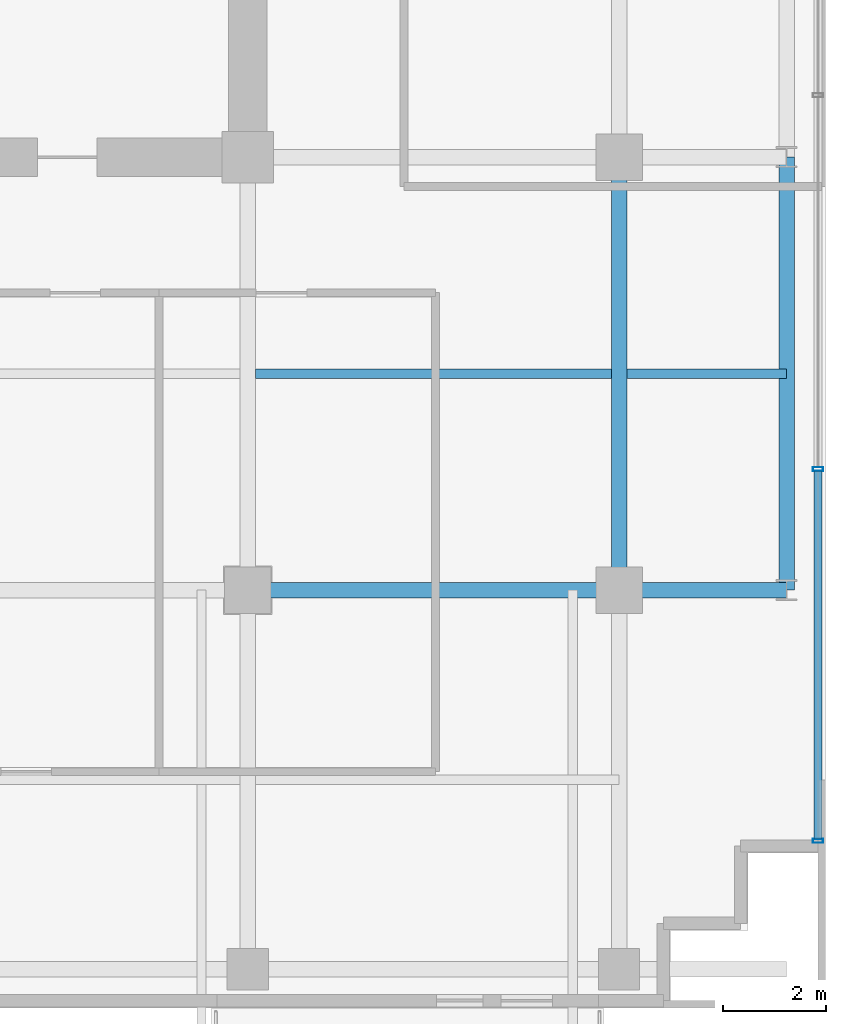
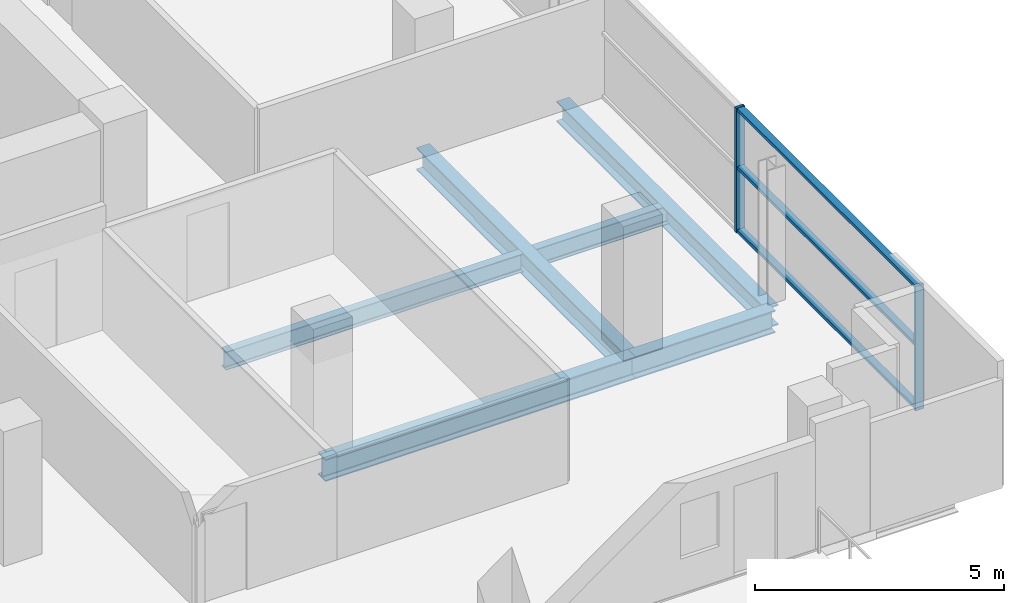
# One storey, part 12 of 28: 6 beams, 5 members, 1 element without a shape of its own.
"""IFC4 building model written with IfcOpenShell, lengths in metres."""

import ifcopenshell
import ifcopenshell.guid

model = None  # the IFC model being written
_history = None  # IfcOwnerHistory: only IFC2X3 demands one
_inside = {}  # id of a spatial element -> (the spatial element, [elements in it])
_under = {}  # id of a project, library or spatial element -> (it, [spatial elements below it])
_declared = {}  # id of a project -> (the project, [libraries it declares])
_typed = {}  # id of a type object -> (the type object, [elements of that type])
_made_of = {}  # id of a material, layer set ... -> (it, [elements and type objects made of it])


def new_model(schema):
    """Start an empty IFC model of exactly this schema.

    Asked for "IFC4X3", IfcOpenShell would pick the latest addendum, in which some entities
    have other attributes; the version numbers below select the first issue.
    IFC2X3 requires an IfcOwnerHistory on every rooted entity: one is made here for all.
    """
    global model, _history
    if schema == "IFC4X3":
        model = ifcopenshell.file(schema_version=(4, 3, 0, 0))
    else:
        model = ifcopenshell.file(schema=schema)
    _inside.clear()
    _under.clear()
    _declared.clear()
    _typed.clear()
    _made_of.clear()
    _history = None
    if model.schema == "IFC2X3":
        org = make("IfcOrganization", Name="unknown")
        user = make(
            "IfcPersonAndOrganization",
            ThePerson=make("IfcPerson", FamilyName="unknown"),
            TheOrganization=org,
        )
        app = make(
            "IfcApplication",
            ApplicationDeveloper=org,
            Version="unknown",
            ApplicationFullName="unknown",
            ApplicationIdentifier="unknown",
        )
        _history = make(
            "IfcOwnerHistory",
            OwningUser=user,
            OwningApplication=app,
            ChangeAction="ADDED",
            CreationDate=0,
        )
    return model


def make(cls, **values):
    """One entity of the class cls with the attributes given. An attribute that is None is left unset."""
    return model.create_entity(
        cls, **{name: value for name, value in values.items() if value is not None}
    )


def rooted(cls, **values):
    """An entity with a GlobalId (a new one), such as an element, a storey or a relation."""
    return make(cls, GlobalId=ifcopenshell.guid.new(), OwnerHistory=_history, **values)


def si_unit(unit_type, name, prefix=None):
    """IfcSIUnit, for example si_unit("LENGTHUNIT", "METRE", prefix="MILLI")."""
    return make("IfcSIUnit", UnitType=unit_type, Prefix=prefix, Name=name)


def assignment(units):
    """IfcUnitAssignment: the units of a project."""
    return None if units is None else make("IfcUnitAssignment", Units=units)


def point(xyz):
    """IfcCartesianPoint."""
    return None if xyz is None else make("IfcCartesianPoint", Coordinates=xyz)


def direction(xyz):
    """IfcDirection."""
    return None if xyz is None else make("IfcDirection", DirectionRatios=xyz)


def frame(location, z_axis=None, x_axis=None):
    """IfcAxis2Placement3D, a coordinate frame: its origin and axes. An axis left out is left unset."""
    return make(
        "IfcAxis2Placement3D",
        Location=point(location),
        Axis=direction(z_axis),
        RefDirection=direction(x_axis),
    )


def frame_2d(location, x_axis=None):
    """IfcAxis2Placement2D, a coordinate frame in the plane: its origin and x axis."""
    return make(
        "IfcAxis2Placement2D", Location=point(location), RefDirection=direction(x_axis)
    )


def origin():
    """The frame at (0, 0, 0) with its axes left unset."""
    return frame((0.0, 0.0, 0.0))


def origin_2d():
    """The frame at (0, 0) in the plane with its x axis left unset."""
    return frame_2d((0.0, 0.0))


def place(relative_to, where):
    """IfcLocalPlacement: puts the frame where relative to a parent placement (None: the world)."""
    return make(
        "IfcLocalPlacement", PlacementRelTo=relative_to, RelativePlacement=where
    )


def context(
    kind, dimensions, precision=None, world=None, true_north=None, identifier=None
):
    """IfcGeometricRepresentationContext, for example the 3D "Model" context."""
    return make(
        "IfcGeometricRepresentationContext",
        ContextIdentifier=identifier,
        ContextType=kind,
        CoordinateSpaceDimension=dimensions,
        Precision=precision,
        WorldCoordinateSystem=world,
        TrueNorth=true_north,
    )


def subcontext(parent, identifier, kind, view, scale=None):
    """IfcGeometricRepresentationSubContext, for example "Body" below "Model"."""
    return make(
        "IfcGeometricRepresentationSubContext",
        ContextIdentifier=identifier,
        ContextType=kind,
        ParentContext=parent,
        TargetScale=scale,
        TargetView=view,
    )


def project(units=None, contexts=None):
    """IfcProject with its units and contexts."""
    return rooted(
        "IfcProject",
        Name="project",
        RepresentationContexts=contexts,
        UnitsInContext=assignment(units),
    )


def spatial(cls, under=None, at=None, **own):
    """A site, building, storey or space (cls), placed at a placement, below another one or the project."""
    s = rooted(cls, ObjectPlacement=at, **own)
    if under is not None:
        _under.setdefault(under.id(), (under, []))[1].append(s)
    return s


def profile(cls, at=None, kind="AREA", **sizes):
    """A parametric profile (cls). Its sizes go by their IFC names, for example OverallWidth=200.0."""
    return make(cls, ProfileType=kind, Position=at, **sizes)


def hollow_rectangle(**sizes):
    """IfcRectangleHollowProfileDef."""
    return profile("IfcRectangleHollowProfileDef", **sizes)


def i_section(**sizes):
    """IfcIShapeProfileDef."""
    return profile("IfcIShapeProfileDef", **sizes)


def extrude(swept, where, along, depth):
    """IfcExtrudedAreaSolid: the profile swept, set in the frame where, extruded along a direction by depth."""
    return make(
        "IfcExtrudedAreaSolid",
        SweptArea=swept,
        Position=where,
        ExtrudedDirection=direction(along),
        Depth=depth,
    )


def shape(context_of_items, identifier, shape_type, items):
    """IfcShapeRepresentation: the items that make up one representation, for example the "Body"."""
    return make(
        "IfcShapeRepresentation",
        ContextOfItems=context_of_items,
        RepresentationIdentifier=identifier,
        RepresentationType=shape_type,
        Items=items,
    )


def source(mapping_origin, context_of_items, identifier, shape_type, items):
    """IfcRepresentationMap: a shape defined once, which mapped items show again and again."""
    return make(
        "IfcRepresentationMap",
        MappingOrigin=mapping_origin,
        MappedRepresentation=shape(context_of_items, identifier, shape_type, items),
    )


def transform(
    local_origin,
    x_axis=None,
    y_axis=None,
    z_axis=None,
    scale=None,
    scale2=None,
    scale3=None,
    uniform=True,
):
    """IfcCartesianTransformationOperator3D, or its non-uniform kind. x_axis, y_axis, z_axis: its Axis1, 2, 3."""
    if uniform:
        return make(
            "IfcCartesianTransformationOperator3D",
            Axis1=direction(x_axis),
            Axis2=direction(y_axis),
            LocalOrigin=point(local_origin),
            Scale=scale,
            Axis3=direction(z_axis),
        )
    return make(
        "IfcCartesianTransformationOperator3DnonUniform",
        Axis1=direction(x_axis),
        Axis2=direction(y_axis),
        LocalOrigin=point(local_origin),
        Scale=scale,
        Axis3=direction(z_axis),
        Scale2=scale2,
        Scale3=scale3,
    )


def mapped(mapping_source, mapping_target):
    """IfcMappedItem: shows the shape of a source again, moved by a transform."""
    return make(
        "IfcMappedItem", MappingSource=mapping_source, MappingTarget=mapping_target
    )


def material(Name=None, Category=None):
    """IfcMaterial."""
    return make("IfcMaterial", Name=Name, Category=Category)


def layer(
    of_material, thickness, ventilated=None, Name=None, Category=None, Priority=None
):
    """IfcMaterialLayer: one layer of a wall or slab, of a material (None: an air gap)."""
    return make(
        "IfcMaterialLayer",
        Material=of_material,
        LayerThickness=thickness,
        IsVentilated=ventilated,
        Name=Name,
        Category=Category,
        Priority=Priority,
    )


def layer_set(layers, Name=None):
    """IfcMaterialLayerSet."""
    return make("IfcMaterialLayerSet", MaterialLayers=layers, LayerSetName=Name)


def material_profile(
    of_material, cross_section, Name=None, Category=None, Priority=None
):
    """IfcMaterialProfile: a cross section and its material."""
    return make(
        "IfcMaterialProfile",
        Name=Name,
        Material=of_material,
        Profile=cross_section,
        Priority=Priority,
        Category=Category,
    )


def profile_set(profiles, Name=None, composite=None):
    """IfcMaterialProfileSet."""
    return make(
        "IfcMaterialProfileSet",
        Name=Name,
        MaterialProfiles=profiles,
        CompositeProfile=composite,
    )


def made_of(thing, what):
    """Note that an element or type object is made of a material, layer set ...; save() writes the relation."""
    if what is not None:
        _made_of.setdefault(what.id(), (what, []))[1].append(thing)
    return thing


def type_object(cls, material=None, **own):
    """A type object (cls), such as IfcWallType, which elements share."""
    return made_of(rooted(cls, **own), material)


def element(
    cls,
    number,
    at=None,
    inside=None,
    cuts=None,
    type_object=None,
    material=None,
    context=None,
    identifier="Body",
    shape_type=None,
    held_by="IfcProductDefinitionShape",
    body=None,
    shapes=None,
    **own,
):
    """One element of the class cls, such as IfcWall. Its Tag is "e" and its number.

    at: its placement. inside: the storey or other place that contains it. cuts: it is an
    opening in that element (IfcRelVoidsElement). A single representation is given by context,
    identifier, shape_type and body (its items); several are given by shapes. held_by: the class
    of the entity that holds the representations. save() writes the other relations.
    """
    e = rooted(cls, Tag="e%d" % number, ObjectPlacement=at, **own)
    if body is not None:
        shapes = [shape(context, identifier, shape_type, body)]
    if shapes is not None:
        e.Representation = make(held_by, Representations=shapes)
    if inside is not None:
        _inside.setdefault(inside.id(), (inside, []))[1].append(e)
    if cuts is not None:
        rooted(
            "IfcRelVoidsElement", RelatingBuildingElement=cuts, RelatedOpeningElement=e
        )
    if type_object is not None:
        _typed.setdefault(type_object.id(), (type_object, []))[1].append(e)
    return made_of(e, material)


def aggregate(whole, parts):
    """IfcRelAggregates: a whole, such as a stair, and the parts it consists of."""
    return rooted("IfcRelAggregates", RelatingObject=whole, RelatedObjects=parts)


def save(model, path):
    """Write the relations noted so far, then the file.

    IfcRelAggregates (storeys below a building ...), IfcRelContainedInSpatialStructure (elements
    in a storey), IfcRelDefinesByType, IfcRelAssociatesMaterial and IfcRelDeclares: one each for
    every whole, place, type object, material and project.
    """
    for whole, parts in _under.values():
        aggregate(whole, parts)
    for where, things in _inside.values():
        rooted(
            "IfcRelContainedInSpatialStructure",
            RelatedElements=things,
            RelatingStructure=where,
        )
    for kind, things in _typed.values():
        rooted("IfcRelDefinesByType", RelatedObjects=things, RelatingType=kind)
    for what, things in _made_of.values():
        rooted("IfcRelAssociatesMaterial", RelatedObjects=things, RelatingMaterial=what)
    for by, libraries in _declared.values():
        rooted("IfcRelDeclares", RelatingContext=by, RelatedDefinitions=libraries)
    model.write(path)


model = new_model("IFC4")

# Units and contexts
model_context = context("Model", 3, precision=1e-05, world=origin(), true_north=direction((0.0, 1.0)))
body_context = subcontext(model_context, "Body", "Model", "MODEL_VIEW")
ifc_project = project(units=[si_unit("LENGTHUNIT", "METRE"), si_unit("AREAUNIT", "SQUARE_METRE"), si_unit("VOLUMEUNIT", "CUBIC_METRE"), si_unit("PLANEANGLEUNIT", "RADIAN"), si_unit("MASSUNIT", "GRAM", prefix="KILO")], contexts=[model_context])

# Site, building, storey
site_placement = place(None, origin())
site = spatial("IfcSite", under=ifc_project, at=site_placement, CompositionType="ELEMENT")
building_placement = place(site_placement, origin())
building = spatial("IfcBuilding", under=site, at=building_placement, Name="Zarnakvel Exchange Tower", CompositionType="ELEMENT")
storey_placement = place(building_placement, frame((0.0, 0.0, 90.10009765625)))
storey = spatial("IfcBuildingStorey", under=building, at=storey_placement, Name="L24", CompositionType="ELEMENT", Elevation=90.10009765625)

# Beams
ifc_material_1 = material(Name="Steel S355", Category="steel")
ifc_material_profile_1 = material_profile(ifc_material_1, i_section(OverallWidth=0.18994140625, OverallDepth=0.449951171875, WebThickness=0.009521484375, FlangeThickness=0.0146484375, FilletRadius=0.02099609375, at=origin_2d()))
ifc_profile_set_1 = profile_set([ifc_material_profile_1], Name="Steel S355")
beam_type_1 = type_object("IfcBeamType", Name="B-05", PredefinedType="JOIST", material=ifc_profile_set_1)
beam_1_placement = place(storey_placement, frame((14.550048828125, -5.39990234375, -0.4501953125), z_axis=(1.0, 0.0, 0.0), x_axis=(0.0, 1.0, 0.0)))
element("IfcBeam", 1, at=beam_1_placement, inside=storey, type_object=beam_type_1, Name="L24 Composite Floor Secondary Joist", PredefinedType="JOIST", context=body_context, shape_type="SweptSolid", body=[
    extrude(i_section(OverallWidth=0.18994140625, OverallDepth=0.449951171875, WebThickness=0.009521484375, FlangeThickness=0.0146484375, FilletRadius=0.02099609375, at=origin_2d()), origin(), (0.0, 0.0, 1.0), 6.89990234375),
])
beam_2_placement = place(storey_placement, frame((21.75, -5.39990234375, -0.4501953125), z_axis=(1.0, 0.0, 0.0), x_axis=(0.0, 1.0, 0.0)))
element("IfcBeam", 2, at=beam_2_placement, inside=storey, type_object=beam_type_1, Name="L24 Composite Floor Secondary Joist", PredefinedType="JOIST", context=body_context, shape_type="SweptSolid", body=[
    extrude(i_section(OverallWidth=0.18994140625, OverallDepth=0.449951171875, WebThickness=0.009521484375, FlangeThickness=0.0146484375, FilletRadius=0.02099609375, at=origin_2d()), origin(), (0.0, 0.0, 1.0), 3.10009765625),
])
ifc_material_profile_2 = material_profile(ifc_material_1, i_section(OverallWidth=0.300048828125, OverallDepth=0.550048828125, WebThickness=0.014892578125, FlangeThickness=0.029052734375, FilletRadius=0.027099609375, at=origin_2d()))
ifc_profile_set_2 = profile_set([ifc_material_profile_2], Name="Steel S355")
beam_type_2 = type_object("IfcBeamType", Name="G-05", PredefinedType="BEAM", material=ifc_profile_set_2)
beam_3_placement = place(storey_placement, frame((14.39990234375, -9.60009765625, -0.5), z_axis=(1.0, 0.0, 0.0), x_axis=(0.0, 1.0, 0.0)))
element("IfcBeam", 3, at=beam_3_placement, inside=storey, type_object=beam_type_2, Name="L24 Tower E-W Frame Beam", PredefinedType="BEAM", context=body_context, shape_type="SweptSolid", body=[
    extrude(i_section(OverallWidth=0.300048828125, OverallDepth=0.550048828125, WebThickness=0.014892578125, FlangeThickness=0.029052734375, FilletRadius=0.027099609375, at=origin_2d()), origin(), (0.0, 0.0, 1.0), 7.2001953125),
])
beam_4_placement = place(storey_placement, frame((21.60009765625, -9.60009765625, -0.5), z_axis=(1.0, 0.0, 0.0), x_axis=(0.0, 1.0, 0.0)))
element("IfcBeam", 4, at=beam_4_placement, inside=storey, type_object=beam_type_2, Name="L24 Tower E-W Frame Beam", PredefinedType="BEAM", context=body_context, shape_type="SweptSolid", body=[
    extrude(i_section(OverallWidth=0.300048828125, OverallDepth=0.550048828125, WebThickness=0.014892578125, FlangeThickness=0.029052734375, FilletRadius=0.027099609375, at=origin_2d()), origin(), (0.0, 0.0, 1.0), 3.25),
])
beam_5_placement = place(storey_placement, frame((21.60009765625, -9.60009765625, -0.5), z_axis=(0.0, 1.0, 0.0), x_axis=(-1.0, 0.0, 0.0)))
element("IfcBeam", 5, at=beam_5_placement, inside=storey, type_object=beam_type_2, Name="L24 Tower N-S Frame Beam", PredefinedType="BEAM", context=body_context, shape_type="SweptSolid", body=[
    extrude(i_section(OverallWidth=0.300048828125, OverallDepth=0.550048828125, WebThickness=0.014892578125, FlangeThickness=0.029052734375, FilletRadius=0.027099609375, at=origin_2d()), origin(), (0.0, 0.0, 1.0), 8.400146484375),
])
ifc_material_profile_3 = material_profile(ifc_material_1, i_section(OverallWidth=0.300048828125, OverallDepth=0.5, WebThickness=0.014404296875, FlangeThickness=0.028076171875, FilletRadius=0.027099609375, at=origin_2d()))
ifc_profile_set_3 = profile_set([ifc_material_profile_3], Name="Steel S355")
beam_type_3 = type_object("IfcBeamType", Name="SP-02", PredefinedType="SPANDREL", material=ifc_profile_set_3)
beam_6_placement = place(storey_placement, frame((24.85009765625, -9.60009765625, -0.47509765625), z_axis=(0.0, 1.0, 0.0), x_axis=(-1.0, 0.0, 0.0)))
element("IfcBeam", 6, at=beam_6_placement, inside=storey, type_object=beam_type_3, Name="L24 Tower N-S Frame Beam", PredefinedType="SPANDREL", context=body_context, shape_type="SweptSolid", body=[
    extrude(i_section(OverallWidth=0.300048828125, OverallDepth=0.5, WebThickness=0.014404296875, FlangeThickness=0.028076171875, FilletRadius=0.027099609375, at=origin_2d()), origin(), (0.0, 0.0, 1.0), 8.400146484375),
])

# Curtain wall, members
ifc_material_2 = material(Name="Architectural Bronze Anodised Aluminium", Category="aluminium")
ifc_layer = layer(ifc_material_2, 0.199951171875)
ifc_layer_set = layer_set([ifc_layer], Name="Architectural Bronze Anodised Aluminium")
curtain_wall_type = type_object("IfcCurtainWallType", Name="CW-04", PredefinedType="NOTDEFINED", material=ifc_layer_set)
curtain_wall_placement = place(storey_placement, origin())
curtain_wall = element("IfcCurtainWall", 7, at=curtain_wall_placement, inside=storey, type_object=curtain_wall_type, Name="L24 Curtain Wall CW-L24-E1 (CW-04)", PredefinedType="NOTDEFINED")
ifc_material_profile_4 = material_profile(ifc_material_2, hollow_rectangle(XDim=0.199951171875, YDim=0.074951171875, WallThickness=0.0048828125, at=origin_2d()))
ifc_profile_set_4 = profile_set([ifc_material_profile_4], Name="Architectural Bronze Anodised Aluminium")
member_type_1 = type_object("IfcMemberType", Name="CWM-04", PredefinedType="MULLION", material=ifc_profile_set_4)
shared_shape_1 = source(origin(), body_context, "Body", "SweptSolid", [
    extrude(hollow_rectangle(XDim=0.199951171875, YDim=0.074951171875, WallThickness=0.0048828125, at=origin_2d()), origin(), (0.0, 0.0, 1.0), 3.054931640625),
])
member_1_placement = place(storey_placement, frame((25.4599609375, -14.46240234375, 0.0), z_axis=(0.0, 0.0, 1.0), x_axis=(-1.0, 0.0, 0.0)))
member_1 = element("IfcMember", 8, at=member_1_placement, type_object=member_type_1, Name="CW-04 mullion 1", PredefinedType="MULLION", context=body_context, shape_type="MappedRepresentation", body=[
    mapped(shared_shape_1, transform((0.0, 0.0, 0.0), x_axis=(1.0, 0.0, 0.0), y_axis=(0.0, 1.0, 0.0), z_axis=(0.0, 0.0, 1.0), scale=1.0)),
])
member_2_placement = place(storey_placement, frame((25.4599609375, -7.25, 0.0), z_axis=(0.0, 0.0, 1.0), x_axis=(-1.0, 0.0, 0.0)))
member_2 = element("IfcMember", 9, at=member_2_placement, type_object=member_type_1, Name="CW-04 mullion 2", PredefinedType="MULLION", context=body_context, shape_type="MappedRepresentation", body=[
    mapped(shared_shape_1, transform((0.0, 0.0, 0.0), x_axis=(1.0, 0.0, 0.0), y_axis=(0.0, 1.0, 0.0), z_axis=(0.0, 0.0, 1.0), scale=1.0)),
])
ifc_material_profile_5 = material_profile(ifc_material_2, hollow_rectangle(XDim=0.159912109375, YDim=0.074951171875, WallThickness=0.00390625, at=origin_2d()))
ifc_profile_set_5 = profile_set([ifc_material_profile_5], Name="Architectural Bronze Anodised Aluminium")
member_type_2 = type_object("IfcMemberType", Name="CWT-04", PredefinedType="USERDEFINED", material=ifc_profile_set_5)
shared_shape_2 = source(origin(), body_context, "Body", "SweptSolid", [
    extrude(hollow_rectangle(XDim=0.159912109375, YDim=0.074951171875, WallThickness=0.00390625, at=origin_2d()), origin(), (0.0, 0.0, 1.0), 7.137451171875),
])
member_3_placement = place(storey_placement, frame((25.4599609375, -14.425048828125, 0.037353515625), z_axis=(0.0, 1.0, 0.0), x_axis=(-1.0, 0.0, 0.0)))
member_3 = element("IfcMember", 10, at=member_3_placement, type_object=member_type_2, Name="CW-04 transom 1.1", ObjectType="TRANSOM", PredefinedType="USERDEFINED", context=body_context, shape_type="MappedRepresentation", body=[
    mapped(shared_shape_2, transform((0.0, 0.0, 0.0), x_axis=(1.0, 0.0, 0.0), y_axis=(0.0, 1.0, 0.0), z_axis=(0.0, 0.0, 1.0), scale=1.0)),
])
member_4_placement = place(storey_placement, frame((25.4599609375, -14.425048828125, 1.588623046875), z_axis=(0.0, 1.0, 0.0), x_axis=(-1.0, 0.0, 0.0)))
member_4 = element("IfcMember", 11, at=member_4_placement, type_object=member_type_2, Name="CW-04 transom 1.2", ObjectType="TRANSOM", PredefinedType="USERDEFINED", context=body_context, shape_type="MappedRepresentation", body=[
    mapped(shared_shape_2, transform((0.0, 0.0, 0.0), x_axis=(1.0, 0.0, 0.0), y_axis=(0.0, 1.0, 0.0), z_axis=(0.0, 0.0, 1.0), scale=1.0)),
])
member_5_placement = place(storey_placement, frame((25.4599609375, -14.425048828125, 3.017333984375), z_axis=(0.0, 1.0, 0.0), x_axis=(-1.0, 0.0, 0.0)))
member_5 = element("IfcMember", 12, at=member_5_placement, type_object=member_type_2, Name="CW-04 transom 1.3", ObjectType="TRANSOM", PredefinedType="USERDEFINED", context=body_context, shape_type="MappedRepresentation", body=[
    mapped(shared_shape_2, transform((0.0, 0.0, 0.0), x_axis=(1.0, 0.0, 0.0), y_axis=(0.0, 1.0, 0.0), z_axis=(0.0, 0.0, 1.0), scale=1.0)),
])
aggregate(curtain_wall, [member_1, member_2, member_3, member_4, member_5])

save(model, "model.ifc")
